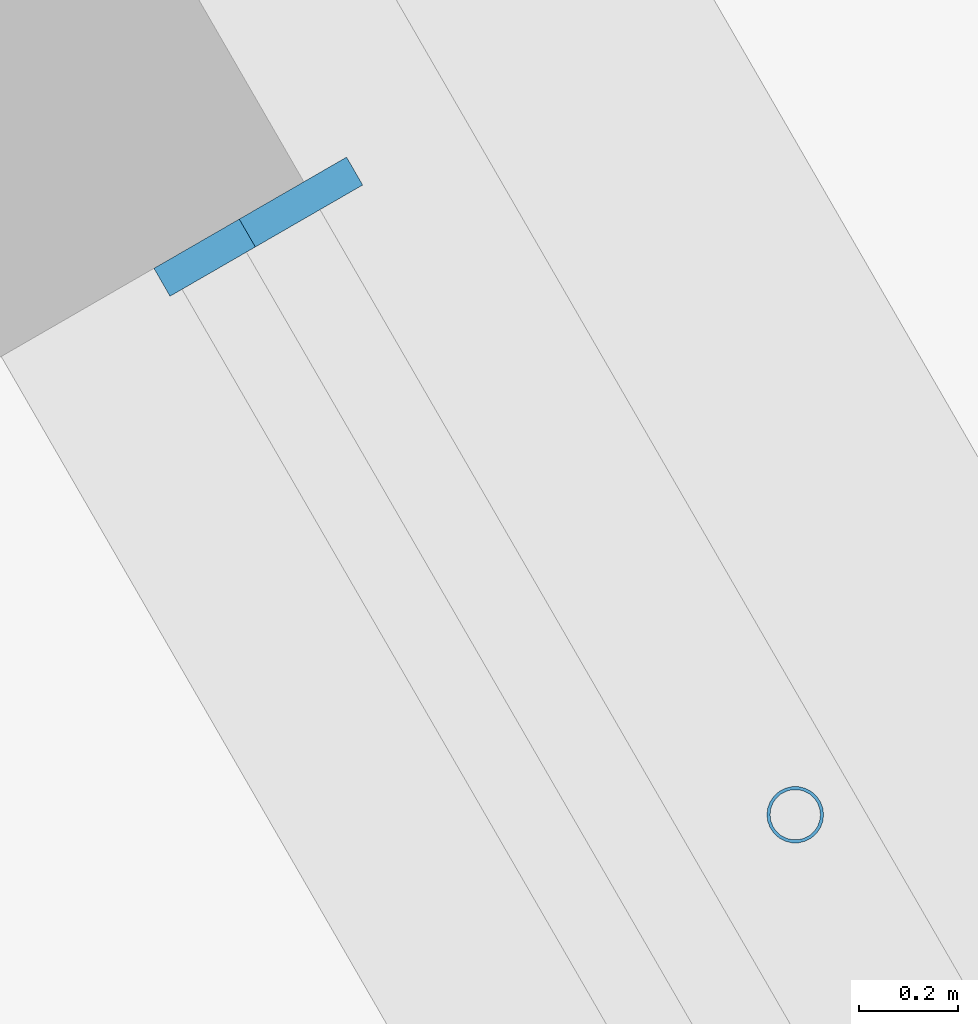
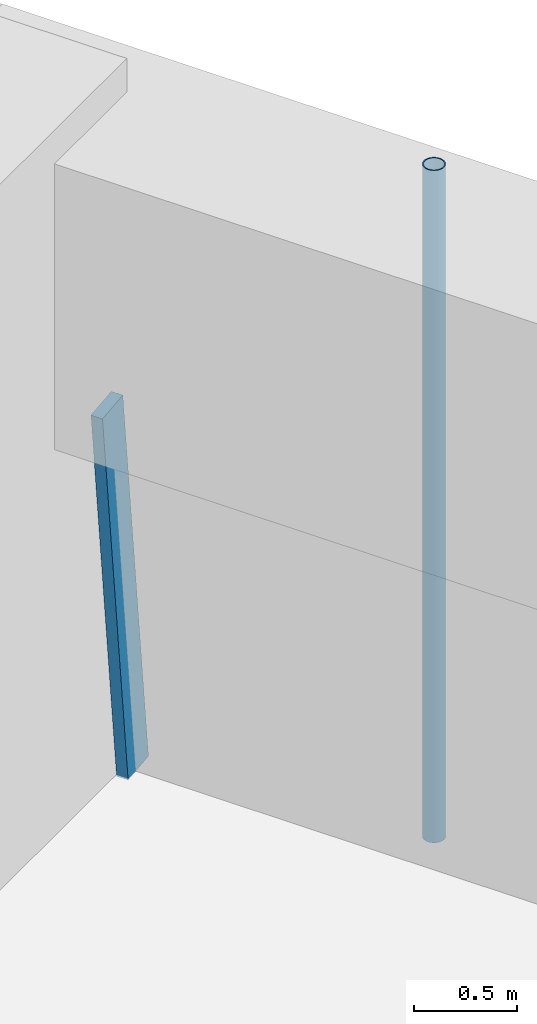
# One storey, part 15 of 24: 2 members, 1 element without a shape of its own.
"""IFC4 building model written with IfcOpenShell, lengths in metres."""

from ifc_helpers import new_model, si_unit, direction, frame, origin, origin_2d, place, context, subcontext, project, spatial, rectangle, hollow_circle, extrude, material, material_profile, profile_set, type_object, element, aggregate, save


model = new_model("IFC4")

# Units and contexts
model_context = context("Model", 3, precision=1e-05, world=origin(), true_north=direction((0.0, 1.0)))
body_context = subcontext(model_context, "Body", "Model", "MODEL_VIEW")
ifc_project = project(units=[si_unit("LENGTHUNIT", "METRE"), si_unit("AREAUNIT", "SQUARE_METRE"), si_unit("VOLUMEUNIT", "CUBIC_METRE"), si_unit("PLANEANGLEUNIT", "RADIAN"), si_unit("MASSUNIT", "GRAM", prefix="KILO")], contexts=[model_context])

# Site, building, storey
site_placement = place(None, origin())
site = spatial("IfcSite", under=ifc_project, at=site_placement, CompositionType="ELEMENT")
building_placement = place(site_placement, origin())
building = spatial("IfcBuilding", under=site, at=building_placement, Name="Tarfa Lantern Tower", CompositionType="ELEMENT")
storey_placement = place(building_placement, frame((0.0, 0.0, 132.10009765625)))
storey = spatial("IfcBuildingStorey", under=building, at=storey_placement, Name="L29", CompositionType="ELEMENT", Elevation=132.10009765625)

# Curtain wall, member
ifc_material_1 = material(Name="Aluminium framed curtain wall", Category="aluminium")
curtain_wall_type = type_object("IfcCurtainWallType", Name="CW2 CANTED GLAZING MID ZONE 2300", PredefinedType="USERDEFINED", material=ifc_material_1)
curtain_wall_placement = place(storey_placement, origin())
curtain_wall = element("IfcCurtainWall", 1, at=curtain_wall_placement, inside=storey, type_object=curtain_wall_type, Name="CW2 NE L29", ObjectType="CURTAIN WALL", PredefinedType="USERDEFINED")
ifc_material_2 = material(Name="Aluminium mullion", Category="aluminium")
ifc_material_profile_1 = material_profile(ifc_material_2, rectangle(XDim=0.06494140625, YDim=0.199951171875, at=origin_2d()), Name="AL MULLION 65x200")
ifc_profile_set_1 = profile_set([ifc_material_profile_1], Name="Aluminium mullion")
member_type_1 = type_object("IfcMemberType", Name="CWM1 MULLION 65x200", PredefinedType="MULLION", material=ifc_profile_set_1)
member_1_placement = place(storey_placement, frame((30.161376953125, 10.55908203125, 0.0), z_axis=(-0.093609724986, -0.054034023893, 0.994141611467), x_axis=(0.499919672301, -0.866071776036, 0.0)))
member_1 = element("IfcMember", 2, at=member_1_placement, type_object=member_type_1, Name="CW2 mullion 2", PredefinedType="MULLION", context=body_context, shape_type="SweptSolid", body=[
    extrude(rectangle(XDim=0.06494140625, YDim=0.199951171875, at=origin_2d()), origin(), (0.0, 0.0, 1.0), 2.3134765625),
])
aggregate(curtain_wall, [member_1])

# Member
ifc_material_3 = material(Name="Steel S355", Category="steel")
ifc_material_profile_2 = material_profile(ifc_material_3, hollow_circle(Radius=0.05712890625, WallThickness=0.00634765625, at=origin_2d()), Name="CHS114.3x6.3")
ifc_profile_set_2 = profile_set([ifc_material_profile_2], Name="Steel S355")
member_type_2 = type_object("IfcMemberType", Name="TR1 GREEN WALL TRELLIS CHS114.3x6.3", PredefinedType="USERDEFINED", material=ifc_profile_set_2)
member_2_placement = place(storey_placement, frame((31.136474609375, 9.31005859375, 0.0), z_axis=(0.0, 0.0, 1.0), x_axis=(1.0, 0.0, 0.0)))
element("IfcMember", 3, at=member_2_placement, inside=storey, type_object=member_type_2, Name="Trellis post NE 1", ObjectType="TRELLIS", PredefinedType="USERDEFINED", context=body_context, shape_type="SweptSolid", body=[
    extrude(hollow_circle(Radius=0.05712890625, WallThickness=0.00634765625, at=origin_2d()), origin(), (0.0, 0.0, 1.0), 4.0),
])

save(model, "model.ifc")
